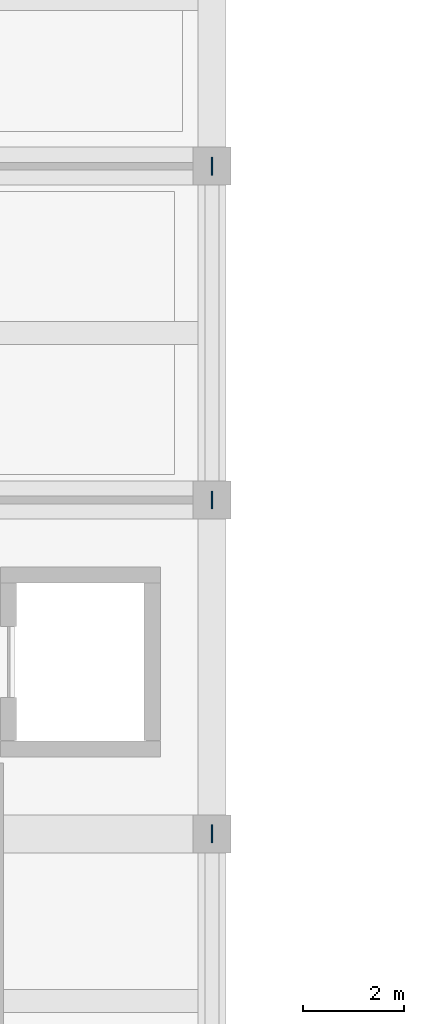
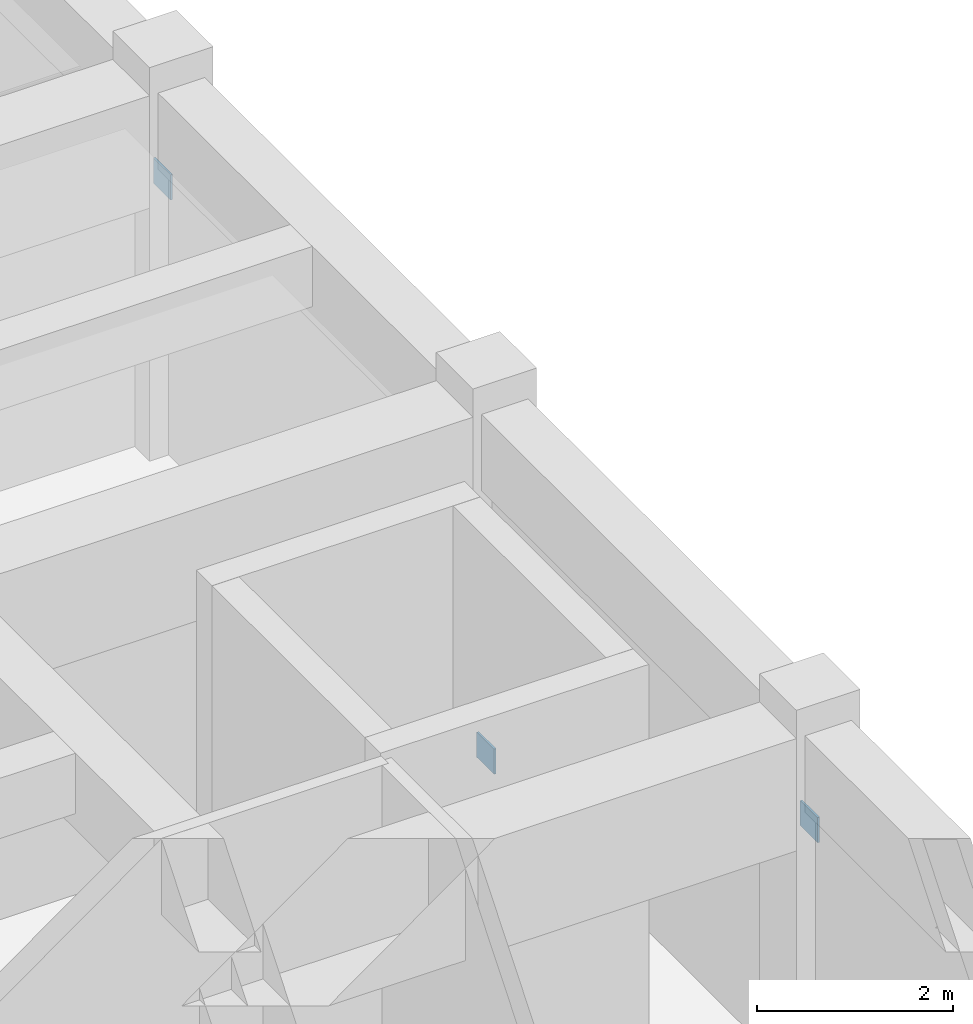
# One storey, part 118 of 144: 3 plates.
"""IFC4 building model written with IfcOpenShell, lengths in metres."""

import ifcopenshell
import ifcopenshell.guid

model = None  # the IFC model being written
_history = None  # IfcOwnerHistory: only IFC2X3 demands one
_inside = {}  # id of a spatial element -> (the spatial element, [elements in it])
_under = {}  # id of a project, library or spatial element -> (it, [spatial elements below it])
_declared = {}  # id of a project -> (the project, [libraries it declares])
_typed = {}  # id of a type object -> (the type object, [elements of that type])
_made_of = {}  # id of a material, layer set ... -> (it, [elements and type objects made of it])


def new_model(schema):
    """Start an empty IFC model of exactly this schema.

    Asked for "IFC4X3", IfcOpenShell would pick the latest addendum, in which some entities
    have other attributes; the version numbers below select the first issue.
    IFC2X3 requires an IfcOwnerHistory on every rooted entity: one is made here for all.
    """
    global model, _history
    if schema == "IFC4X3":
        model = ifcopenshell.file(schema_version=(4, 3, 0, 0))
    else:
        model = ifcopenshell.file(schema=schema)
    _inside.clear()
    _under.clear()
    _declared.clear()
    _typed.clear()
    _made_of.clear()
    _history = None
    if model.schema == "IFC2X3":
        org = make("IfcOrganization", Name="unknown")
        user = make(
            "IfcPersonAndOrganization",
            ThePerson=make("IfcPerson", FamilyName="unknown"),
            TheOrganization=org,
        )
        app = make(
            "IfcApplication",
            ApplicationDeveloper=org,
            Version="unknown",
            ApplicationFullName="unknown",
            ApplicationIdentifier="unknown",
        )
        _history = make(
            "IfcOwnerHistory",
            OwningUser=user,
            OwningApplication=app,
            ChangeAction="ADDED",
            CreationDate=0,
        )
    return model


def make(cls, **values):
    """One entity of the class cls with the attributes given. An attribute that is None is left unset."""
    return model.create_entity(
        cls, **{name: value for name, value in values.items() if value is not None}
    )


def rooted(cls, **values):
    """An entity with a GlobalId (a new one), such as an element, a storey or a relation."""
    return make(cls, GlobalId=ifcopenshell.guid.new(), OwnerHistory=_history, **values)


def si_unit(unit_type, name, prefix=None):
    """IfcSIUnit, for example si_unit("LENGTHUNIT", "METRE", prefix="MILLI")."""
    return make("IfcSIUnit", UnitType=unit_type, Prefix=prefix, Name=name)


def assignment(units):
    """IfcUnitAssignment: the units of a project."""
    return None if units is None else make("IfcUnitAssignment", Units=units)


def point(xyz):
    """IfcCartesianPoint."""
    return None if xyz is None else make("IfcCartesianPoint", Coordinates=xyz)


def direction(xyz):
    """IfcDirection."""
    return None if xyz is None else make("IfcDirection", DirectionRatios=xyz)


def frame(location, z_axis=None, x_axis=None):
    """IfcAxis2Placement3D, a coordinate frame: its origin and axes. An axis left out is left unset."""
    return make(
        "IfcAxis2Placement3D",
        Location=point(location),
        Axis=direction(z_axis),
        RefDirection=direction(x_axis),
    )


def frame_2d(location, x_axis=None):
    """IfcAxis2Placement2D, a coordinate frame in the plane: its origin and x axis."""
    return make(
        "IfcAxis2Placement2D", Location=point(location), RefDirection=direction(x_axis)
    )


def origin():
    """The frame at (0, 0, 0) with its axes left unset."""
    return frame((0.0, 0.0, 0.0))


def origin_2d():
    """The frame at (0, 0) in the plane with its x axis left unset."""
    return frame_2d((0.0, 0.0))


def place(relative_to, where):
    """IfcLocalPlacement: puts the frame where relative to a parent placement (None: the world)."""
    return make(
        "IfcLocalPlacement", PlacementRelTo=relative_to, RelativePlacement=where
    )


def context(
    kind, dimensions, precision=None, world=None, true_north=None, identifier=None
):
    """IfcGeometricRepresentationContext, for example the 3D "Model" context."""
    return make(
        "IfcGeometricRepresentationContext",
        ContextIdentifier=identifier,
        ContextType=kind,
        CoordinateSpaceDimension=dimensions,
        Precision=precision,
        WorldCoordinateSystem=world,
        TrueNorth=true_north,
    )


def subcontext(parent, identifier, kind, view, scale=None):
    """IfcGeometricRepresentationSubContext, for example "Body" below "Model"."""
    return make(
        "IfcGeometricRepresentationSubContext",
        ContextIdentifier=identifier,
        ContextType=kind,
        ParentContext=parent,
        TargetScale=scale,
        TargetView=view,
    )


def project(units=None, contexts=None):
    """IfcProject with its units and contexts."""
    return rooted(
        "IfcProject",
        Name="project",
        RepresentationContexts=contexts,
        UnitsInContext=assignment(units),
    )


def spatial(cls, under=None, at=None, **own):
    """A site, building, storey or space (cls), placed at a placement, below another one or the project."""
    s = rooted(cls, ObjectPlacement=at, **own)
    if under is not None:
        _under.setdefault(under.id(), (under, []))[1].append(s)
    return s


def profile(cls, at=None, kind="AREA", **sizes):
    """A parametric profile (cls). Its sizes go by their IFC names, for example OverallWidth=200.0."""
    return make(cls, ProfileType=kind, Position=at, **sizes)


def rectangle(**sizes):
    """IfcRectangleProfileDef."""
    return profile("IfcRectangleProfileDef", **sizes)


def extrude(swept, where, along, depth):
    """IfcExtrudedAreaSolid: the profile swept, set in the frame where, extruded along a direction by depth."""
    return make(
        "IfcExtrudedAreaSolid",
        SweptArea=swept,
        Position=where,
        ExtrudedDirection=direction(along),
        Depth=depth,
    )


def shape(context_of_items, identifier, shape_type, items):
    """IfcShapeRepresentation: the items that make up one representation, for example the "Body"."""
    return make(
        "IfcShapeRepresentation",
        ContextOfItems=context_of_items,
        RepresentationIdentifier=identifier,
        RepresentationType=shape_type,
        Items=items,
    )


def material(Name=None, Category=None):
    """IfcMaterial."""
    return make("IfcMaterial", Name=Name, Category=Category)


def layer(
    of_material, thickness, ventilated=None, Name=None, Category=None, Priority=None
):
    """IfcMaterialLayer: one layer of a wall or slab, of a material (None: an air gap)."""
    return make(
        "IfcMaterialLayer",
        Material=of_material,
        LayerThickness=thickness,
        IsVentilated=ventilated,
        Name=Name,
        Category=Category,
        Priority=Priority,
    )


def layer_set(layers, Name=None):
    """IfcMaterialLayerSet."""
    return make("IfcMaterialLayerSet", MaterialLayers=layers, LayerSetName=Name)


def made_of(thing, what):
    """Note that an element or type object is made of a material, layer set ...; save() writes the relation."""
    if what is not None:
        _made_of.setdefault(what.id(), (what, []))[1].append(thing)
    return thing


def type_object(cls, material=None, **own):
    """A type object (cls), such as IfcWallType, which elements share."""
    return made_of(rooted(cls, **own), material)


def element(
    cls,
    number,
    at=None,
    inside=None,
    cuts=None,
    type_object=None,
    material=None,
    context=None,
    identifier="Body",
    shape_type=None,
    held_by="IfcProductDefinitionShape",
    body=None,
    shapes=None,
    **own,
):
    """One element of the class cls, such as IfcWall. Its Tag is "e" and its number.

    at: its placement. inside: the storey or other place that contains it. cuts: it is an
    opening in that element (IfcRelVoidsElement). A single representation is given by context,
    identifier, shape_type and body (its items); several are given by shapes. held_by: the class
    of the entity that holds the representations. save() writes the other relations.
    """
    e = rooted(cls, Tag="e%d" % number, ObjectPlacement=at, **own)
    if body is not None:
        shapes = [shape(context, identifier, shape_type, body)]
    if shapes is not None:
        e.Representation = make(held_by, Representations=shapes)
    if inside is not None:
        _inside.setdefault(inside.id(), (inside, []))[1].append(e)
    if cuts is not None:
        rooted(
            "IfcRelVoidsElement", RelatingBuildingElement=cuts, RelatedOpeningElement=e
        )
    if type_object is not None:
        _typed.setdefault(type_object.id(), (type_object, []))[1].append(e)
    return made_of(e, material)


def aggregate(whole, parts):
    """IfcRelAggregates: a whole, such as a stair, and the parts it consists of."""
    return rooted("IfcRelAggregates", RelatingObject=whole, RelatedObjects=parts)


def save(model, path):
    """Write the relations noted so far, then the file.

    IfcRelAggregates (storeys below a building ...), IfcRelContainedInSpatialStructure (elements
    in a storey), IfcRelDefinesByType, IfcRelAssociatesMaterial and IfcRelDeclares: one each for
    every whole, place, type object, material and project.
    """
    for whole, parts in _under.values():
        aggregate(whole, parts)
    for where, things in _inside.values():
        rooted(
            "IfcRelContainedInSpatialStructure",
            RelatedElements=things,
            RelatingStructure=where,
        )
    for kind, things in _typed.values():
        rooted("IfcRelDefinesByType", RelatedObjects=things, RelatingType=kind)
    for what, things in _made_of.values():
        rooted("IfcRelAssociatesMaterial", RelatedObjects=things, RelatingMaterial=what)
    for by, libraries in _declared.values():
        rooted("IfcRelDeclares", RelatingContext=by, RelatedDefinitions=libraries)
    model.write(path)


model = new_model("IFC4")

# Units and contexts
model_context = context("Model", 3, precision=1e-05, world=origin(), true_north=direction((0.0, 1.0)))
body_context = subcontext(model_context, "Body", "Model", "MODEL_VIEW")
ifc_project = project(units=[si_unit("LENGTHUNIT", "METRE"), si_unit("AREAUNIT", "SQUARE_METRE"), si_unit("VOLUMEUNIT", "CUBIC_METRE"), si_unit("PLANEANGLEUNIT", "RADIAN"), si_unit("MASSUNIT", "GRAM", prefix="KILO")], contexts=[model_context])

# Site, building, storey
site_placement = place(None, origin())
site = spatial("IfcSite", under=ifc_project, at=site_placement, CompositionType="ELEMENT")
building_placement = place(site_placement, origin())
building = spatial("IfcBuilding", under=site, at=building_placement, Name="Karori Crest Natural Sciences Institute", CompositionType="ELEMENT")
storey_placement = place(building_placement, origin())
storey = spatial("IfcBuildingStorey", under=building, at=storey_placement, Name="L00", CompositionType="ELEMENT", Elevation=0.0)

# Plates
ifc_material = material(Name="Structural steel AS/NZS 3679.1 Grade 350", Category="steel")
ifc_layer = layer(ifc_material, 0.02490234375, Name="Structural steel AS/NZS 3679.1 Grade 350")
ifc_layer_set = layer_set([ifc_layer], Name="Structural steel AS/NZS 3679.1 Grade 350")
plate_type = type_object("IfcPlateType", Name="PLT-06-EL", PredefinedType="SHEET", material=ifc_layer_set)
for number, where, z_axis, x_axis, name in (
    (1, (27.199951171875, 101.60009765625, 3.00341796875), (0.0, 0.0, 1.0), (0.0, 1.0, 0.0), "Brace gusset plate EP-0363"),
    (2, (27.199951171875, 108.199951171875, -0.146484375), (0.0, 0.0, 1.0), (0.0, 1.0, 0.0), "Brace gusset plate EP-0364"),
    (3, (27.199951171875, 114.800048828125, 3.00341796875), (0.0, 0.0, 1.0), (0.0, 1.0, 0.0), "Brace gusset plate EP-0365"),
):
    element("IfcPlate", number, at=place(storey_placement, frame(where, z_axis=z_axis, x_axis=x_axis)), inside=storey, type_object=plate_type, Name=name, PredefinedType="SHEET", context=body_context, shape_type="SweptSolid", body=[
        extrude(rectangle(XDim=0.35302734375, YDim=0.02490234375, at=origin_2d()), origin(), (0.0, 0.0, 1.0), 0.31298828125),
    ])

save(model, "model.ifc")
